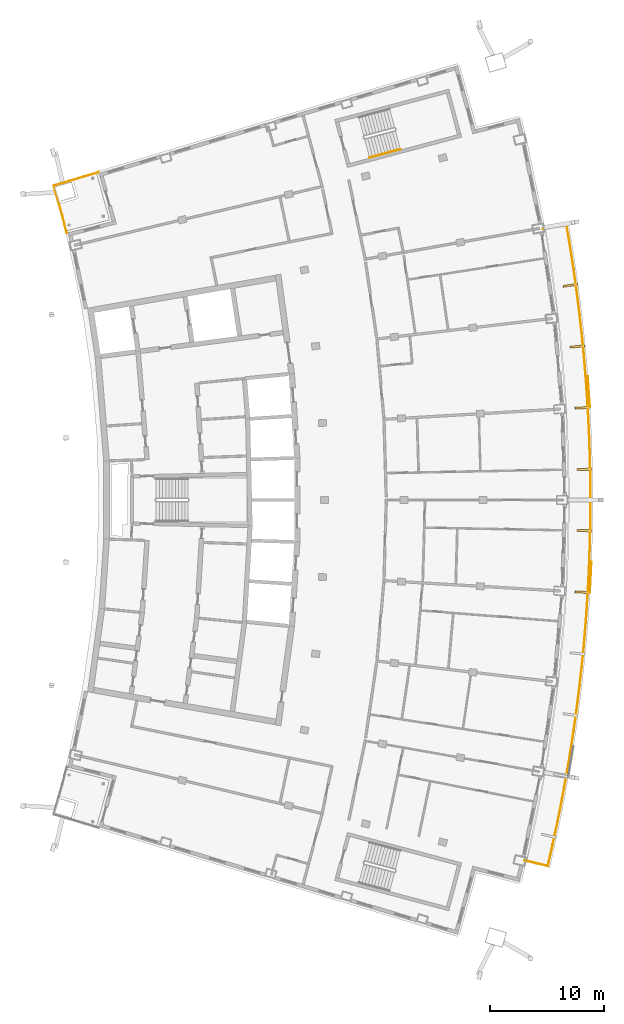
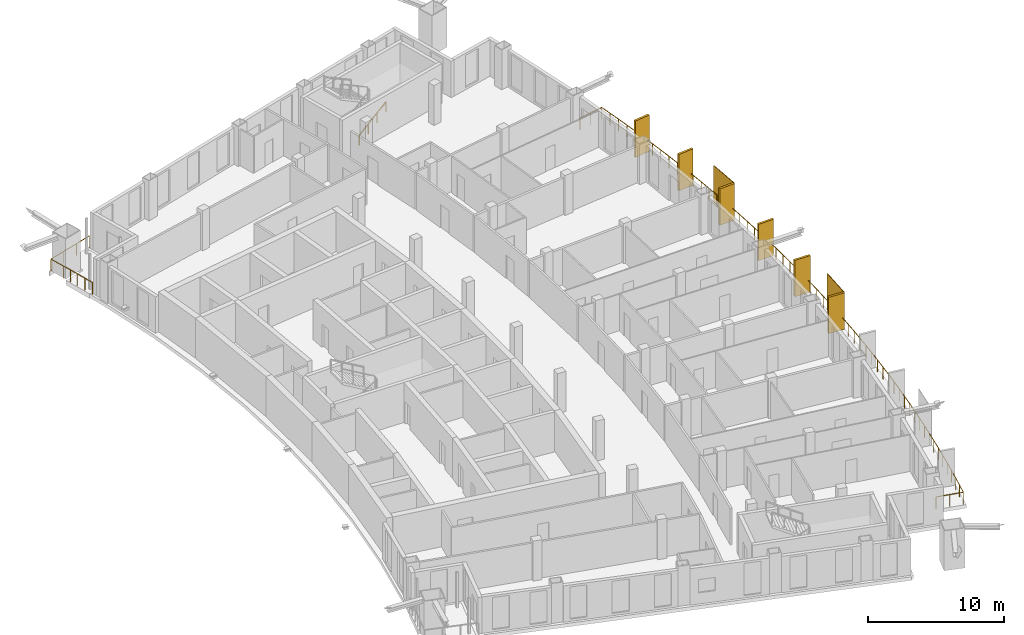
# One storey, part 19 of 20: 8 shading devices, 3 railings.
"""IFC4 building model written with IfcOpenShell, lengths in metres."""

from ifc_helpers import new_model, si_unit, direction, frame, origin, origin_2d, place, context, subcontext, project, spatial, rectangle, extrude, material, layer, layer_set, type_object, element, save


model = new_model("IFC4")

# Units and contexts
model_context = context("Model", 3, precision=1e-05, world=origin(), true_north=direction((0.0, 1.0)))
body_context = subcontext(model_context, "Body", "Model", "MODEL_VIEW")
ifc_project = project(units=[si_unit("LENGTHUNIT", "METRE"), si_unit("AREAUNIT", "SQUARE_METRE"), si_unit("VOLUMEUNIT", "CUBIC_METRE"), si_unit("PLANEANGLEUNIT", "RADIAN"), si_unit("MASSUNIT", "GRAM", prefix="KILO")], contexts=[model_context])

# Site, building, storey
site_placement = place(None, origin())
site = spatial("IfcSite", under=ifc_project, at=site_placement, CompositionType="ELEMENT")
building_placement = place(site_placement, origin())
building = spatial("IfcBuilding", under=site, at=building_placement, Name="Alderwake Tower", CompositionType="ELEMENT")
storey_placement = place(building_placement, frame((0.0, 0.0, 263.60009765625)))
storey = spatial("IfcBuildingStorey", under=building, at=storey_placement, Name="L65", CompositionType="ELEMENT", Elevation=263.60009765625)

# Railings
ifc_material_1 = material(Name="Stainless steel 316 rail and posts", Category="steel")
railing_type_1 = type_object("IfcRailingType", Name="Balcony guard 1100", PredefinedType="GUARDRAIL", material=ifc_material_1)
railing_1_placement = place(storey_placement, frame((53.310302734375, 29.41845703125, 0.0)))
element("IfcRailing", 1, at=railing_1_placement, inside=storey, type_object=railing_type_1, Name="Guard BF03", PredefinedType="GUARDRAIL", context=body_context, shape_type="SweptSolid", body=[
    extrude(rectangle(XDim=0.048095703125, YDim=0.048095703125, at=origin_2d()), frame((0.0, 0.0, 1.076171875), z_axis=(0.973057638874, -0.230561990427, 0.0), x_axis=(0.230561990427, 0.973057638874, 0.0)), (0.0, 0.0, 1.0), 2.099853515625),
    extrude(rectangle(XDim=0.048095703125, YDim=0.048095703125, at=origin_2d()), frame((2.043212890625, -0.484130859375, 1.076171875), z_axis=(0.223814637938, 0.974631729344, 0.0), x_axis=(-0.974631729344, 0.223814637938, 0.0)), (0.0, 0.0, 1.0), 1.928466796875),
    extrude(rectangle(XDim=0.048095703125, YDim=0.048095703125, at=origin_2d()), frame((2.474853515625, 1.3955078125, 1.076171875), z_axis=(0.209890712011, 0.977724853428, 0.0), x_axis=(-0.977724853428, 0.209890712011, 0.0)), (0.0, 0.0, 1.0), 2.028564453125),
    extrude(rectangle(XDim=0.048095703125, YDim=0.048095703125, at=origin_2d()), frame((2.900634765625, 3.37890625, 1.076171875), z_axis=(0.195583748105, 0.980687002808, 0.0), x_axis=(-0.980687002808, 0.195583748105, 0.0)), (0.0, 0.0, 1.0), 2.0283203125),
    extrude(rectangle(XDim=0.048095703125, YDim=0.048095703125, at=origin_2d()), frame((3.29736328125, 5.3681640625, 1.076171875), z_axis=(0.18137379082, 0.983414230121, 0.0), x_axis=(-0.983414230121, 0.18137379082, 0.0)), (0.0, 0.0, 1.0), 2.028564453125),
    extrude(rectangle(XDim=0.048095703125, YDim=0.048095703125, at=origin_2d()), frame((3.665283203125, 7.363037109375, 1.076171875), z_axis=(0.16693570744, 0.985967783237, 0.0), x_axis=(-0.985967783237, 0.16693570744, 0.0)), (0.0, 0.0, 1.0), 2.028564453125),
    extrude(rectangle(XDim=0.048095703125, YDim=0.048095703125, at=origin_2d()), frame((4.00390625, 9.363037109375, 1.076171875), z_axis=(0.152482217915, 0.988306214298, 0.0), x_axis=(-0.988306214298, 0.152482217915, 0.0)), (0.0, 0.0, 1.0), 2.028564453125),
    extrude(rectangle(XDim=0.048095703125, YDim=0.048095703125, at=origin_2d()), frame((4.313232421875, 11.367919921875, 1.076171875), z_axis=(0.13805051548, 0.990425189086, 0.0), x_axis=(-0.990425189086, 0.13805051548, 0.0)), (0.0, 0.0, 1.0), 2.028564453125),
    extrude(rectangle(XDim=0.048095703125, YDim=0.048095703125, at=origin_2d()), frame((4.59326171875, 13.376953125, 1.076171875), z_axis=(0.123590385512, 0.992333319308, 0.0), x_axis=(-0.992333319308, 0.123590385512, 0.0)), (0.0, 0.0, 1.0), 2.02880859375),
    extrude(rectangle(XDim=0.048095703125, YDim=0.048095703125, at=origin_2d()), frame((4.843994140625, 15.39013671875, 1.076171875), z_axis=(0.109163290286, 0.994023830727, 0.0), x_axis=(-0.994023830727, 0.109163290286, 0.0)), (0.0, 0.0, 1.0), 2.028564453125),
    extrude(rectangle(XDim=0.048095703125, YDim=0.048095703125, at=origin_2d()), frame((5.0654296875, 17.406494140625, 1.076171875), z_axis=(0.094723893114, 0.995503583154, 0.0), x_axis=(-0.995503583154, 0.094723893114, 0.0)), (0.0, 0.0, 1.0), 2.0283203125),
    extrude(rectangle(XDim=0.048095703125, YDim=0.048095703125, at=origin_2d()), frame((5.257568359375, 19.42578125, 1.076171875), z_axis=(0.080156604703, 0.996782282508, 0.0), x_axis=(-0.996782282508, 0.080156604703, 0.0)), (0.0, 0.0, 1.0), 2.028564453125),
    extrude(rectangle(XDim=0.048095703125, YDim=0.048095703125, at=origin_2d()), frame((5.420166015625, 21.44775390625, 1.076171875), z_axis=(0.065472533863, 0.997854371795, 0.0), x_axis=(-0.997854371795, 0.065472533863, 0.0)), (0.0, 0.0, 1.0), 2.028564453125),
    extrude(rectangle(XDim=0.048095703125, YDim=0.048095703125, at=origin_2d()), frame((5.552978515625, 23.471923828125, 1.076171875), z_axis=(0.051030076832, 0.998697116877, 0.0), x_axis=(-0.998697116877, 0.051030076832, 0.0)), (0.0, 0.0, 1.0), 2.028564453125),
    extrude(rectangle(XDim=0.048095703125, YDim=0.048095703125, at=origin_2d()), frame((5.656494140625, 25.497802734375, 1.076171875), z_axis=(0.036464173068, 0.999334960903, 0.0), x_axis=(-0.999334960903, 0.036464173068, 0.0)), (0.0, 0.0, 1.0), 2.02880859375),
    extrude(rectangle(XDim=0.048095703125, YDim=0.048095703125, at=origin_2d()), frame((5.73046875, 27.525146484375, 1.076171875), z_axis=(0.021906612556, 0.999760021368, 0.0), x_axis=(-0.999760021368, 0.021906612556, 0.0)), (0.0, 0.0, 1.0), 2.0283203125),
    extrude(rectangle(XDim=0.048095703125, YDim=0.048095703125, at=origin_2d()), frame((5.77490234375, 29.552978515625, 1.076171875), z_axis=(0.007341239164, 0.999973052741, 0.0), x_axis=(-0.999973052741, 0.007341239164, 0.0)), (0.0, 0.0, 1.0), 2.028564453125),
    extrude(rectangle(XDim=0.048095703125, YDim=0.048095703125, at=origin_2d()), frame((5.789794921875, 31.58154296875, 1.076171875), z_axis=(-0.007341239164, 0.999973052741, 0.0), x_axis=(-0.999973052741, -0.007341239164, 0.0)), (0.0, 0.0, 1.0), 2.028564453125),
    extrude(rectangle(XDim=0.048095703125, YDim=0.048095703125, at=origin_2d()), frame((5.77490234375, 33.610107421875, 1.076171875), z_axis=(-0.021906612556, 0.999760021368, 0.0), x_axis=(-0.999760021368, -0.021906612556, 0.0)), (0.0, 0.0, 1.0), 2.0283203125),
    extrude(rectangle(XDim=0.048095703125, YDim=0.048095703125, at=origin_2d()), frame((5.73046875, 35.637939453125, 1.076171875), z_axis=(-0.036464173068, 0.999334960903, 0.0), x_axis=(-0.999334960903, -0.036464173068, 0.0)), (0.0, 0.0, 1.0), 2.02880859375),
    extrude(rectangle(XDim=0.048095703125, YDim=0.048095703125, at=origin_2d()), frame((5.656494140625, 37.665283203125, 1.076171875), z_axis=(-0.051030076832, 0.998697116877, 0.0), x_axis=(-0.998697116877, -0.051030076832, 0.0)), (0.0, 0.0, 1.0), 2.028564453125),
    extrude(rectangle(XDim=0.048095703125, YDim=0.048095703125, at=origin_2d()), frame((5.552978515625, 39.691162109375, 1.076171875), z_axis=(-0.065472533863, 0.997854371795, 0.0), x_axis=(-0.997854371795, -0.065472533863, 0.0)), (0.0, 0.0, 1.0), 2.028564453125),
    extrude(rectangle(XDim=0.048095703125, YDim=0.048095703125, at=origin_2d()), frame((5.420166015625, 41.71533203125, 1.076171875), z_axis=(-0.080156604703, 0.996782282508, 0.0), x_axis=(-0.996782282508, -0.080156604703, 0.0)), (0.0, 0.0, 1.0), 2.028564453125),
    extrude(rectangle(XDim=0.048095703125, YDim=0.048095703125, at=origin_2d()), frame((5.257568359375, 43.7373046875, 1.076171875), z_axis=(-0.094723893114, 0.995503583154, 0.0), x_axis=(-0.995503583154, -0.094723893114, 0.0)), (0.0, 0.0, 1.0), 2.0283203125),
    extrude(rectangle(XDim=0.048095703125, YDim=0.048095703125, at=origin_2d()), frame((5.0654296875, 45.756591796875, 1.076171875), z_axis=(-0.109163290286, 0.994023830727, 0.0), x_axis=(-0.994023830727, -0.109163290286, 0.0)), (0.0, 0.0, 1.0), 2.028564453125),
    extrude(rectangle(XDim=0.048095703125, YDim=0.048095703125, at=origin_2d()), frame((4.843994140625, 47.77294921875, 1.076171875), z_axis=(-0.123590385512, 0.992333319308, 0.0), x_axis=(-0.992333319308, -0.123590385512, 0.0)), (0.0, 0.0, 1.0), 2.02880859375),
    extrude(rectangle(XDim=0.048095703125, YDim=0.048095703125, at=origin_2d()), frame((4.59326171875, 49.7861328125, 1.076171875), z_axis=(-0.13805051548, 0.990425189086, 0.0), x_axis=(-0.990425189086, -0.13805051548, 0.0)), (0.0, 0.0, 1.0), 2.028564453125),
    extrude(rectangle(XDim=0.048095703125, YDim=0.048095703125, at=origin_2d()), frame((4.313232421875, 51.795166015625, 1.076171875), z_axis=(-0.152482217915, 0.988306214298, 0.0), x_axis=(-0.988306214298, -0.152482217915, 0.0)), (0.0, 0.0, 1.0), 2.028564453125),
    extrude(rectangle(XDim=0.048095703125, YDim=0.048095703125, at=origin_2d()), frame((4.00390625, 53.800048828125, 1.076171875), z_axis=(-0.16659512263, 0.986025387663, 0.0), x_axis=(-0.986025387663, -0.16659512263, 0.0)), (0.0, 0.0, 1.0), 1.928466796875),
    extrude(rectangle(XDim=0.048095703125, YDim=0.048095703125, at=origin_2d()), frame((3.6826171875, 55.70166015625, 1.076171875), z_axis=(-0.984844352562, -0.173440483242, 0.0), x_axis=(0.173440483242, -0.984844352562, 0.0)), (0.0, 0.0, 1.0), 2.10009765625),
    extrude(rectangle(XDim=0.0419921875, YDim=0.0419921875, at=origin_2d()), frame((0.0, 0.0, 0.0), z_axis=(0.0, 0.0, 1.0), x_axis=(0.973057638874, -0.230561990427, 0.0)), (0.0, 0.0, 1.0), 1.052001953125),
    extrude(rectangle(XDim=0.0419921875, YDim=0.0419921875, at=origin_2d()), frame((1.021484375, -0.2421875, 0.0), z_axis=(0.0, 0.0, 1.0), x_axis=(0.973057638874, -0.230561990427, 0.0)), (0.0, 0.0, 1.0), 1.052001953125),
    extrude(rectangle(XDim=0.0419921875, YDim=0.0419921875, at=origin_2d()), frame((2.043212890625, -0.484130859375, 0.0), z_axis=(0.0, 0.0, 1.0), x_axis=(0.223814637938, 0.974631729344, 0.0)), (0.0, 0.0, 1.0), 1.052001953125),
    extrude(rectangle(XDim=0.0419921875, YDim=0.0419921875, at=origin_2d()), frame((2.259033203125, 0.45556640625, 0.0), z_axis=(0.0, 0.0, 1.0), x_axis=(0.223814637938, 0.974631729344, 0.0)), (0.0, 0.0, 1.0), 1.052001953125),
    extrude(rectangle(XDim=0.0419921875, YDim=0.0419921875, at=origin_2d()), frame((2.474853515625, 1.3955078125, 0.0), z_axis=(0.0, 0.0, 1.0), x_axis=(0.209890712011, 0.977724853428, 0.0)), (0.0, 0.0, 1.0), 1.052001953125),
    extrude(rectangle(XDim=0.0419921875, YDim=0.0419921875, at=origin_2d()), frame((2.687744140625, 2.38720703125, 0.0), z_axis=(0.0, 0.0, 1.0), x_axis=(0.209890712011, 0.977724853428, 0.0)), (0.0, 0.0, 1.0), 1.052001953125),
    extrude(rectangle(XDim=0.0419921875, YDim=0.0419921875, at=origin_2d()), frame((2.900634765625, 3.37890625, 0.0), z_axis=(0.0, 0.0, 1.0), x_axis=(0.195583748105, 0.980687002808, 0.0)), (0.0, 0.0, 1.0), 1.052001953125),
    extrude(rectangle(XDim=0.0419921875, YDim=0.0419921875, at=origin_2d()), frame((3.09912109375, 4.37353515625, 0.0), z_axis=(0.0, 0.0, 1.0), x_axis=(0.195583748105, 0.980687002808, 0.0)), (0.0, 0.0, 1.0), 1.052001953125),
    extrude(rectangle(XDim=0.0419921875, YDim=0.0419921875, at=origin_2d()), frame((3.29736328125, 5.3681640625, 0.0), z_axis=(0.0, 0.0, 1.0), x_axis=(0.18137379082, 0.983414230121, 0.0)), (0.0, 0.0, 1.0), 1.052001953125),
    extrude(rectangle(XDim=0.0419921875, YDim=0.0419921875, at=origin_2d()), frame((3.4814453125, 6.36572265625, 0.0), z_axis=(0.0, 0.0, 1.0), x_axis=(0.18137379082, 0.983414230121, 0.0)), (0.0, 0.0, 1.0), 1.052001953125),
    extrude(rectangle(XDim=0.0419921875, YDim=0.0419921875, at=origin_2d()), frame((3.665283203125, 7.363037109375, 0.0), z_axis=(0.0, 0.0, 1.0), x_axis=(0.16693570744, 0.985967783237, 0.0)), (0.0, 0.0, 1.0), 1.052001953125),
    extrude(rectangle(XDim=0.0419921875, YDim=0.0419921875, at=origin_2d()), frame((3.83447265625, 8.363037109375, 0.0), z_axis=(0.0, 0.0, 1.0), x_axis=(0.16693570744, 0.985967783237, 0.0)), (0.0, 0.0, 1.0), 1.052001953125),
    extrude(rectangle(XDim=0.0419921875, YDim=0.0419921875, at=origin_2d()), frame((4.00390625, 9.363037109375, 0.0), z_axis=(0.0, 0.0, 1.0), x_axis=(0.152482217915, 0.988306214298, 0.0)), (0.0, 0.0, 1.0), 1.052001953125),
    extrude(rectangle(XDim=0.0419921875, YDim=0.0419921875, at=origin_2d()), frame((4.15869140625, 10.365478515625, 0.0), z_axis=(0.0, 0.0, 1.0), x_axis=(0.152482217915, 0.988306214298, 0.0)), (0.0, 0.0, 1.0), 1.052001953125),
    extrude(rectangle(XDim=0.0419921875, YDim=0.0419921875, at=origin_2d()), frame((4.313232421875, 11.367919921875, 0.0), z_axis=(0.0, 0.0, 1.0), x_axis=(0.13805051548, 0.990425189086, 0.0)), (0.0, 0.0, 1.0), 1.052001953125),
    extrude(rectangle(XDim=0.0419921875, YDim=0.0419921875, at=origin_2d()), frame((4.453125, 12.37255859375, 0.0), z_axis=(0.0, 0.0, 1.0), x_axis=(0.13805051548, 0.990425189086, 0.0)), (0.0, 0.0, 1.0), 1.052001953125),
    extrude(rectangle(XDim=0.0419921875, YDim=0.0419921875, at=origin_2d()), frame((4.59326171875, 13.376953125, 0.0), z_axis=(0.0, 0.0, 1.0), x_axis=(0.123590385512, 0.992333319308, 0.0)), (0.0, 0.0, 1.0), 1.052001953125),
    extrude(rectangle(XDim=0.0419921875, YDim=0.0419921875, at=origin_2d()), frame((4.71875, 14.383544921875, 0.0), z_axis=(0.0, 0.0, 1.0), x_axis=(0.123590385512, 0.992333319308, 0.0)), (0.0, 0.0, 1.0), 1.052001953125),
    extrude(rectangle(XDim=0.0419921875, YDim=0.0419921875, at=origin_2d()), frame((4.843994140625, 15.39013671875, 0.0), z_axis=(0.0, 0.0, 1.0), x_axis=(0.109163290286, 0.994023830727, 0.0)), (0.0, 0.0, 1.0), 1.052001953125),
    extrude(rectangle(XDim=0.0419921875, YDim=0.0419921875, at=origin_2d()), frame((4.95458984375, 16.3984375, 0.0), z_axis=(0.0, 0.0, 1.0), x_axis=(0.109163290286, 0.994023830727, 0.0)), (0.0, 0.0, 1.0), 1.052001953125),
    extrude(rectangle(XDim=0.0419921875, YDim=0.0419921875, at=origin_2d()), frame((5.0654296875, 17.406494140625, 0.0), z_axis=(0.0, 0.0, 1.0), x_axis=(0.094723893114, 0.995503583154, 0.0)), (0.0, 0.0, 1.0), 1.052001953125),
    extrude(rectangle(XDim=0.0419921875, YDim=0.0419921875, at=origin_2d()), frame((5.16162109375, 18.416015625, 0.0), z_axis=(0.0, 0.0, 1.0), x_axis=(0.094723893114, 0.995503583154, 0.0)), (0.0, 0.0, 1.0), 1.052001953125),
    extrude(rectangle(XDim=0.0419921875, YDim=0.0419921875, at=origin_2d()), frame((5.257568359375, 19.42578125, 0.0), z_axis=(0.0, 0.0, 1.0), x_axis=(0.080156604703, 0.996782282508, 0.0)), (0.0, 0.0, 1.0), 1.052001953125),
    extrude(rectangle(XDim=0.0419921875, YDim=0.0419921875, at=origin_2d()), frame((5.3388671875, 20.436767578125, 0.0), z_axis=(0.0, 0.0, 1.0), x_axis=(0.080156604703, 0.996782282508, 0.0)), (0.0, 0.0, 1.0), 1.052001953125),
    extrude(rectangle(XDim=0.0419921875, YDim=0.0419921875, at=origin_2d()), frame((5.420166015625, 21.44775390625, 0.0), z_axis=(0.0, 0.0, 1.0), x_axis=(0.065472533863, 0.997854371795, 0.0)), (0.0, 0.0, 1.0), 1.052001953125),
    extrude(rectangle(XDim=0.0419921875, YDim=0.0419921875, at=origin_2d()), frame((5.486572265625, 22.4599609375, 0.0), z_axis=(0.0, 0.0, 1.0), x_axis=(0.065472533863, 0.997854371795, 0.0)), (0.0, 0.0, 1.0), 1.052001953125),
    extrude(rectangle(XDim=0.0419921875, YDim=0.0419921875, at=origin_2d()), frame((5.552978515625, 23.471923828125, 0.0), z_axis=(0.0, 0.0, 1.0), x_axis=(0.051030076832, 0.998697116877, 0.0)), (0.0, 0.0, 1.0), 1.052001953125),
    extrude(rectangle(XDim=0.0419921875, YDim=0.0419921875, at=origin_2d()), frame((5.604736328125, 24.48486328125, 0.0), z_axis=(0.0, 0.0, 1.0), x_axis=(0.051030076832, 0.998697116877, 0.0)), (0.0, 0.0, 1.0), 1.052001953125),
    extrude(rectangle(XDim=0.0419921875, YDim=0.0419921875, at=origin_2d()), frame((5.656494140625, 25.497802734375, 0.0), z_axis=(0.0, 0.0, 1.0), x_axis=(0.036464173068, 0.999334960903, 0.0)), (0.0, 0.0, 1.0), 1.052001953125),
    extrude(rectangle(XDim=0.0419921875, YDim=0.0419921875, at=origin_2d()), frame((5.693359375, 26.511474609375, 0.0), z_axis=(0.0, 0.0, 1.0), x_axis=(0.036464173068, 0.999334960903, 0.0)), (0.0, 0.0, 1.0), 1.052001953125),
    extrude(rectangle(XDim=0.0419921875, YDim=0.0419921875, at=origin_2d()), frame((5.73046875, 27.525146484375, 0.0), z_axis=(0.0, 0.0, 1.0), x_axis=(0.021906612556, 0.999760021368, 0.0)), (0.0, 0.0, 1.0), 1.052001953125),
    extrude(rectangle(XDim=0.0419921875, YDim=0.0419921875, at=origin_2d()), frame((5.752685546875, 28.5390625, 0.0), z_axis=(0.0, 0.0, 1.0), x_axis=(0.021906612556, 0.999760021368, 0.0)), (0.0, 0.0, 1.0), 1.052001953125),
    extrude(rectangle(XDim=0.0419921875, YDim=0.0419921875, at=origin_2d()), frame((5.77490234375, 29.552978515625, 0.0), z_axis=(0.0, 0.0, 1.0), x_axis=(0.007341239164, 0.999973052741, 0.0)), (0.0, 0.0, 1.0), 1.052001953125),
    extrude(rectangle(XDim=0.0419921875, YDim=0.0419921875, at=origin_2d()), frame((5.7822265625, 30.5673828125, 0.0), z_axis=(0.0, 0.0, 1.0), x_axis=(0.007341239164, 0.999973052741, 0.0)), (0.0, 0.0, 1.0), 1.052001953125),
    extrude(rectangle(XDim=0.0419921875, YDim=0.0419921875, at=origin_2d()), frame((5.789794921875, 31.58154296875, 0.0), z_axis=(0.0, 0.0, 1.0), x_axis=(-0.007341239164, 0.999973052741, 0.0)), (0.0, 0.0, 1.0), 1.052001953125),
    extrude(rectangle(XDim=0.0419921875, YDim=0.0419921875, at=origin_2d()), frame((5.7822265625, 32.595703125, 0.0), z_axis=(0.0, 0.0, 1.0), x_axis=(-0.007341239164, 0.999973052741, 0.0)), (0.0, 0.0, 1.0), 1.052001953125),
    extrude(rectangle(XDim=0.0419921875, YDim=0.0419921875, at=origin_2d()), frame((5.77490234375, 33.610107421875, 0.0), z_axis=(0.0, 0.0, 1.0), x_axis=(-0.021906612556, 0.999760021368, 0.0)), (0.0, 0.0, 1.0), 1.052001953125),
    extrude(rectangle(XDim=0.0419921875, YDim=0.0419921875, at=origin_2d()), frame((5.752685546875, 34.6240234375, 0.0), z_axis=(0.0, 0.0, 1.0), x_axis=(-0.021906612556, 0.999760021368, 0.0)), (0.0, 0.0, 1.0), 1.052001953125),
    extrude(rectangle(XDim=0.0419921875, YDim=0.0419921875, at=origin_2d()), frame((5.73046875, 35.637939453125, 0.0), z_axis=(0.0, 0.0, 1.0), x_axis=(-0.036464173068, 0.999334960903, 0.0)), (0.0, 0.0, 1.0), 1.052001953125),
    extrude(rectangle(XDim=0.0419921875, YDim=0.0419921875, at=origin_2d()), frame((5.693359375, 36.651611328125, 0.0), z_axis=(0.0, 0.0, 1.0), x_axis=(-0.036464173068, 0.999334960903, 0.0)), (0.0, 0.0, 1.0), 1.052001953125),
    extrude(rectangle(XDim=0.0419921875, YDim=0.0419921875, at=origin_2d()), frame((5.656494140625, 37.665283203125, 0.0), z_axis=(0.0, 0.0, 1.0), x_axis=(-0.051030076832, 0.998697116877, 0.0)), (0.0, 0.0, 1.0), 1.052001953125),
    extrude(rectangle(XDim=0.0419921875, YDim=0.0419921875, at=origin_2d()), frame((5.604736328125, 38.67822265625, 0.0), z_axis=(0.0, 0.0, 1.0), x_axis=(-0.051030076832, 0.998697116877, 0.0)), (0.0, 0.0, 1.0), 1.052001953125),
    extrude(rectangle(XDim=0.0419921875, YDim=0.0419921875, at=origin_2d()), frame((5.552978515625, 39.691162109375, 0.0), z_axis=(0.0, 0.0, 1.0), x_axis=(-0.065472533863, 0.997854371795, 0.0)), (0.0, 0.0, 1.0), 1.052001953125),
    extrude(rectangle(XDim=0.0419921875, YDim=0.0419921875, at=origin_2d()), frame((5.486572265625, 40.703125, 0.0), z_axis=(0.0, 0.0, 1.0), x_axis=(-0.065472533863, 0.997854371795, 0.0)), (0.0, 0.0, 1.0), 1.052001953125),
    extrude(rectangle(XDim=0.0419921875, YDim=0.0419921875, at=origin_2d()), frame((5.420166015625, 41.71533203125, 0.0), z_axis=(0.0, 0.0, 1.0), x_axis=(-0.080156604703, 0.996782282508, 0.0)), (0.0, 0.0, 1.0), 1.052001953125),
    extrude(rectangle(XDim=0.0419921875, YDim=0.0419921875, at=origin_2d()), frame((5.3388671875, 42.726318359375, 0.0), z_axis=(0.0, 0.0, 1.0), x_axis=(-0.080156604703, 0.996782282508, 0.0)), (0.0, 0.0, 1.0), 1.052001953125),
    extrude(rectangle(XDim=0.0419921875, YDim=0.0419921875, at=origin_2d()), frame((5.257568359375, 43.7373046875, 0.0), z_axis=(0.0, 0.0, 1.0), x_axis=(-0.094723893114, 0.995503583154, 0.0)), (0.0, 0.0, 1.0), 1.052001953125),
    extrude(rectangle(XDim=0.0419921875, YDim=0.0419921875, at=origin_2d()), frame((5.16162109375, 44.7470703125, 0.0), z_axis=(0.0, 0.0, 1.0), x_axis=(-0.094723893114, 0.995503583154, 0.0)), (0.0, 0.0, 1.0), 1.052001953125),
    extrude(rectangle(XDim=0.0419921875, YDim=0.0419921875, at=origin_2d()), frame((5.0654296875, 45.756591796875, 0.0), z_axis=(0.0, 0.0, 1.0), x_axis=(-0.109163290286, 0.994023830727, 0.0)), (0.0, 0.0, 1.0), 1.052001953125),
    extrude(rectangle(XDim=0.0419921875, YDim=0.0419921875, at=origin_2d()), frame((4.95458984375, 46.7646484375, 0.0), z_axis=(0.0, 0.0, 1.0), x_axis=(-0.109163290286, 0.994023830727, 0.0)), (0.0, 0.0, 1.0), 1.052001953125),
    extrude(rectangle(XDim=0.0419921875, YDim=0.0419921875, at=origin_2d()), frame((4.843994140625, 47.77294921875, 0.0), z_axis=(0.0, 0.0, 1.0), x_axis=(-0.123590385512, 0.992333319308, 0.0)), (0.0, 0.0, 1.0), 1.052001953125),
    extrude(rectangle(XDim=0.0419921875, YDim=0.0419921875, at=origin_2d()), frame((4.71875, 48.779541015625, 0.0), z_axis=(0.0, 0.0, 1.0), x_axis=(-0.123590385512, 0.992333319308, 0.0)), (0.0, 0.0, 1.0), 1.052001953125),
    extrude(rectangle(XDim=0.0419921875, YDim=0.0419921875, at=origin_2d()), frame((4.59326171875, 49.7861328125, 0.0), z_axis=(0.0, 0.0, 1.0), x_axis=(-0.13805051548, 0.990425189086, 0.0)), (0.0, 0.0, 1.0), 1.052001953125),
    extrude(rectangle(XDim=0.0419921875, YDim=0.0419921875, at=origin_2d()), frame((4.453125, 50.79052734375, 0.0), z_axis=(0.0, 0.0, 1.0), x_axis=(-0.13805051548, 0.990425189086, 0.0)), (0.0, 0.0, 1.0), 1.052001953125),
    extrude(rectangle(XDim=0.0419921875, YDim=0.0419921875, at=origin_2d()), frame((4.313232421875, 51.795166015625, 0.0), z_axis=(0.0, 0.0, 1.0), x_axis=(-0.152482217915, 0.988306214298, 0.0)), (0.0, 0.0, 1.0), 1.052001953125),
    extrude(rectangle(XDim=0.0419921875, YDim=0.0419921875, at=origin_2d()), frame((4.15869140625, 52.797607421875, 0.0), z_axis=(0.0, 0.0, 1.0), x_axis=(-0.152482217915, 0.988306214298, 0.0)), (0.0, 0.0, 1.0), 1.052001953125),
    extrude(rectangle(XDim=0.0419921875, YDim=0.0419921875, at=origin_2d()), frame((4.00390625, 53.800048828125, 0.0), z_axis=(0.0, 0.0, 1.0), x_axis=(-0.16659512263, 0.986025387663, 0.0)), (0.0, 0.0, 1.0), 1.052001953125),
    extrude(rectangle(XDim=0.0419921875, YDim=0.0419921875, at=origin_2d()), frame((3.84326171875, 54.7509765625, 0.0), z_axis=(0.0, 0.0, 1.0), x_axis=(-0.16659512263, 0.986025387663, 0.0)), (0.0, 0.0, 1.0), 1.052001953125),
    extrude(rectangle(XDim=0.0419921875, YDim=0.0419921875, at=origin_2d()), frame((3.6826171875, 55.70166015625, 0.0), z_axis=(0.0, 0.0, 1.0), x_axis=(-0.984844352562, -0.173440483242, 0.0)), (0.0, 0.0, 1.0), 1.052001953125),
    extrude(rectangle(XDim=0.0419921875, YDim=0.0419921875, at=origin_2d()), frame((2.6484375, 55.51953125, 0.0), z_axis=(0.0, 0.0, 1.0), x_axis=(-0.984844352562, -0.173440483242, 0.0)), (0.0, 0.0, 1.0), 1.052001953125),
    extrude(rectangle(XDim=0.0419921875, YDim=0.0419921875, at=origin_2d()), frame((1.6142578125, 55.33740234375, 0.0), z_axis=(0.0, 0.0, 1.0), x_axis=(-0.984844352562, -0.173440483242, 0.0)), (0.0, 0.0, 1.0), 1.052001953125),
])
railing_2_placement = place(storey_placement, frame((13.210693359375, 84.387451171875, 0.0)))
element("IfcRailing", 2, at=railing_2_placement, inside=storey, type_object=railing_type_1, Name="Guard terrace RN", PredefinedType="GUARDRAIL", context=body_context, shape_type="SweptSolid", body=[
    extrude(rectangle(XDim=0.048095703125, YDim=0.048095703125, at=origin_2d()), frame((0.0, 0.0, 1.076171875), z_axis=(-0.251385381433, 0.967887075026, 0.0), x_axis=(-0.967887075026, -0.251385381433, 0.0)), (0.0, 0.0, 1.0), 1.6015625),
    extrude(rectangle(XDim=0.048095703125, YDim=0.048095703125, at=origin_2d()), frame((-0.402587890625, 1.550048828125, 1.076171875), z_axis=(-0.266520638672, 0.963829211615, 0.0), x_axis=(-0.963829211615, -0.266520638672, 0.0)), (0.0, 0.0, 1.0), 1.401611328125),
    extrude(rectangle(XDim=0.048095703125, YDim=0.048095703125, at=origin_2d()), frame((-0.776123046875, 2.90087890625, 1.076171875), z_axis=(-0.280093650878, 0.959972680204, 0.0), x_axis=(-0.959972680204, -0.280093650878, 0.0)), (0.0, 0.0, 1.0), 1.30126953125),
    extrude(rectangle(XDim=0.048095703125, YDim=0.048095703125, at=origin_2d()), frame((-1.140625, 4.150146484375, 1.076171875), z_axis=(0.958066871889, 0.286544706789, 0.0), x_axis=(-0.286544706789, 0.958066871889, 0.0)), (0.0, 0.0, 1.0), 4.099853515625),
    extrude(rectangle(XDim=0.0419921875, YDim=0.0419921875, at=origin_2d()), frame((0.0, 0.0, 0.0), z_axis=(0.0, 0.0, 1.0), x_axis=(-0.251385381433, 0.967887075026, 0.0)), (0.0, 0.0, 1.0), 1.052001953125),
    extrude(rectangle(XDim=0.0419921875, YDim=0.0419921875, at=origin_2d()), frame((-0.201171875, 0.77490234375, 0.0), z_axis=(0.0, 0.0, 1.0), x_axis=(-0.251385381433, 0.967887075026, 0.0)), (0.0, 0.0, 1.0), 1.052001953125),
    extrude(rectangle(XDim=0.0419921875, YDim=0.0419921875, at=origin_2d()), frame((-0.402587890625, 1.550048828125, 0.0), z_axis=(0.0, 0.0, 1.0), x_axis=(-0.266520638672, 0.963829211615, 0.0)), (0.0, 0.0, 1.0), 1.052001953125),
    extrude(rectangle(XDim=0.0419921875, YDim=0.0419921875, at=origin_2d()), frame((-0.58935546875, 2.2255859375, 0.0), z_axis=(0.0, 0.0, 1.0), x_axis=(-0.266520638672, 0.963829211615, 0.0)), (0.0, 0.0, 1.0), 1.052001953125),
    extrude(rectangle(XDim=0.0419921875, YDim=0.0419921875, at=origin_2d()), frame((-0.776123046875, 2.90087890625, 0.0), z_axis=(0.0, 0.0, 1.0), x_axis=(-0.280093650878, 0.959972680204, 0.0)), (0.0, 0.0, 1.0), 1.052001953125),
    extrude(rectangle(XDim=0.0419921875, YDim=0.0419921875, at=origin_2d()), frame((-1.140625, 4.150146484375, 0.0), z_axis=(0.0, 0.0, 1.0), x_axis=(0.958066871889, 0.286544706789, 0.0)), (0.0, 0.0, 1.0), 1.052001953125),
    extrude(rectangle(XDim=0.0419921875, YDim=0.0419921875, at=origin_2d()), frame((0.168701171875, 4.541748046875, 0.0), z_axis=(0.0, 0.0, 1.0), x_axis=(0.958066871889, 0.286544706789, 0.0)), (0.0, 0.0, 1.0), 1.052001953125),
    extrude(rectangle(XDim=0.0419921875, YDim=0.0419921875, at=origin_2d()), frame((1.47802734375, 4.933349609375, 0.0), z_axis=(0.0, 0.0, 1.0), x_axis=(0.958066871889, 0.286544706789, 0.0)), (0.0, 0.0, 1.0), 1.052001953125),
    extrude(rectangle(XDim=0.0419921875, YDim=0.0419921875, at=origin_2d()), frame((2.787353515625, 5.324951171875, 0.0), z_axis=(0.0, 0.0, 1.0), x_axis=(0.958066871889, 0.286544706789, 0.0)), (0.0, 0.0, 1.0), 1.052001953125),
])

# Shading devices
ifc_material_2 = material(Name="Bronze anodised aluminium", Category="aluminium")
ifc_layer_1 = layer(ifc_material_2, 0.179931640625)
ifc_layer_set_1 = layer_set([ifc_layer_1], Name="Facade fin 1300")
shading_device_type_1 = type_object("IfcShadingDeviceType", Name="Facade fin 1300", PredefinedType="USERDEFINED", material=ifc_layer_set_1)
for number, where, z_axis, x_axis, name in (
    (3, (58.364501953125, 52.92431640625, 0.0), (0.0, 0.0, 1.0), (0.998301080988, -0.058266214038, 0.0), "Fin"),
    (4, (58.573974609375, 58.311279296875, 0.0), (0.0, 0.0, 1.0), (0.999811838809, -0.019398117887, 0.0), "Fin"),
    (5, (58.573974609375, 63.688720703125, 0.0), (0.0, 0.0, 1.0), (0.999811838809, 0.019398117887, 0.0), "Fin"),
    (6, (58.364501953125, 69.07568359375, 0.0), (0.0, 0.0, 1.0), (0.998301080988, 0.058266214038, 0.0), "Fin"),
    (7, (57.94580078125, 74.45068359375, 0.0), (0.0, 0.0, 1.0), (0.995279882363, 0.097046152751, 0.0), "Fin"),
    (8, (57.318359375, 79.805419921875, 0.0), (0.0, 0.0, 1.0), (0.990752577235, 0.135680988728, 0.0), "Fin"),
):
    element("IfcShadingDevice", number, at=place(storey_placement, frame(where, z_axis=z_axis, x_axis=x_axis)), inside=storey, type_object=shading_device_type_1, Name=name, ObjectType="FIN", PredefinedType="USERDEFINED", context=body_context, shape_type="SweptSolid", body=[
        extrude(rectangle(XDim=1.300048828125, YDim=0.179931640625, at=origin_2d()), origin(), (0.0, 0.0, 1.0), 3.280029296875),
    ])
ifc_material_3 = material(Name="Perforated bronze anodised aluminium", Category="aluminium")
ifc_layer_2 = layer(ifc_material_3, 0.050048828125)
ifc_layer_set_2 = layer_set([ifc_layer_2], Name="Perforated screen panel")
shading_device_type_2 = type_object("IfcShadingDeviceType", Name="Perforated screen panel", PredefinedType="USERDEFINED", material=ifc_layer_set_2)
shading_device_1_placement = place(storey_placement, frame((59.10400390625, 54.234130859375, 0.0), z_axis=(0.0, 0.0, 1.0), x_axis=(0.998819231138, -0.048581308217, 0.0)))
element("IfcShadingDevice", 9, at=shading_device_1_placement, inside=storey, type_object=shading_device_type_2, Name="Screen panel", ObjectType="SCREEN", PredefinedType="USERDEFINED", context=body_context, shape_type="SweptSolid", body=[
    extrude(rectangle(XDim=0.050048828125, YDim=2.701904296875, at=origin_2d()), origin(), (0.0, 0.0, 1.0), 3.280029296875),
])
shading_device_2_placement = place(storey_placement, frame((58.946044921875, 70.469970703125, 0.0), z_axis=(0.0, 0.0, 1.0), x_axis=(0.997685465774, 0.067997877779, 0.0)))
element("IfcShadingDevice", 10, at=shading_device_2_placement, inside=storey, type_object=shading_device_type_2, Name="Screen panel", ObjectType="SCREEN", PredefinedType="USERDEFINED", context=body_context, shape_type="SweptSolid", body=[
    extrude(rectangle(XDim=0.050048828125, YDim=2.7158203125, at=origin_2d()), origin(), (0.0, 0.0, 1.0), 3.280029296875),
])

# Railing
ifc_material_4 = material(Name="Stainless steel handrail", Category="steel")
railing_type_2 = type_object("IfcRailingType", Name="Stair handrail 900", PredefinedType="HANDRAIL", material=ifc_material_4)
railing_3_placement = place(storey_placement, frame((39.731689453125, 91.002685546875, 0.16357421875)))
element("IfcRailing", 11, at=railing_3_placement, inside=storey, type_object=railing_type_2, Name="L65 ST-A stair handrail 1", PredefinedType="HANDRAIL", context=body_context, shape_type="SweptSolid", body=[
    extrude(rectangle(XDim=0.048095703125, YDim=0.048095703125, at=origin_2d()), frame((0.0, 0.0, 0.8759765625), z_axis=(0.834290631165, 0.222236594766, 0.504549342183), x_axis=(-0.257402139082, 0.966304371715, 0.0)), (0.0, 0.0, 1.0), 3.242919921875),
    extrude(rectangle(XDim=0.0419921875, YDim=0.0419921875, at=origin_2d()), frame((0.0, 0.0, 0.0), z_axis=(0.0, 0.0, 1.0), x_axis=(0.966304371715, 0.257402139082, 0.0)), (0.0, 0.0, 1.0), 0.851806640625),
    extrude(rectangle(XDim=0.0419921875, YDim=0.0419921875, at=origin_2d()), frame((0.90185546875, 0.240234375, 0.54541015625), z_axis=(0.0, 0.0, 1.0), x_axis=(0.966304371715, 0.257402139082, 0.0)), (0.0, 0.0, 1.0), 0.851806640625),
    extrude(rectangle(XDim=0.0419921875, YDim=0.0419921875, at=origin_2d()), frame((1.8037109375, 0.48046875, 1.0908203125), z_axis=(0.0, 0.0, 1.0), x_axis=(0.966304371715, 0.257402139082, 0.0)), (0.0, 0.0, 1.0), 0.851806640625),
    extrude(rectangle(XDim=0.0419921875, YDim=0.0419921875, at=origin_2d()), frame((2.70556640625, 0.720703125, 1.63623046875), z_axis=(0.0, 0.0, 1.0), x_axis=(0.966304371715, 0.257402139082, 0.0)), (0.0, 0.0, 1.0), 0.851806640625),
])

save(model, "model.ifc")
